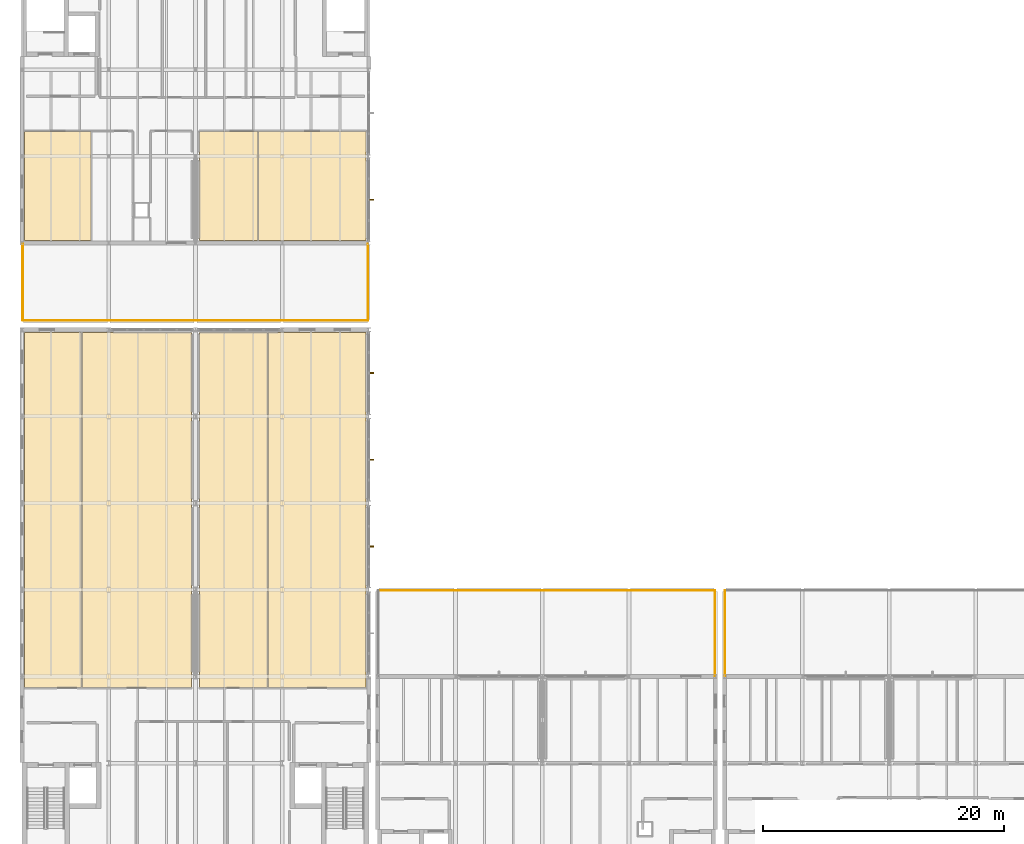
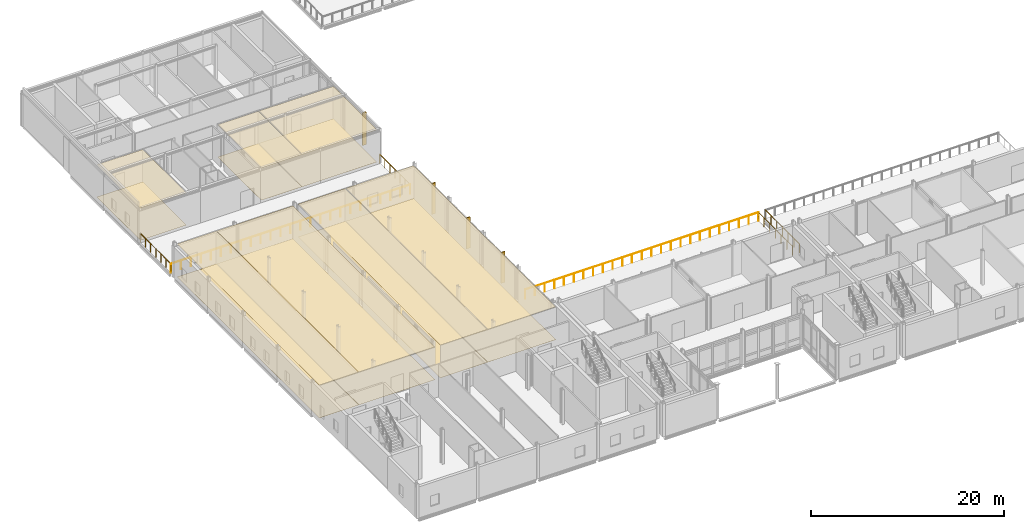
# One storey, part 48 of 53: 14 coverings, 6 railings, 4 shading devices.
"""IFC4 building model written with IfcOpenShell, lengths in metres."""

from ifc_helpers import new_model, si_unit, direction, frame, origin, origin_2d, place, context, subcontext, project, spatial, polyline, rectangle, circle, outline, extrude, material, layer, layer_set, type_object, element, save


model = new_model("IFC4")

# Units and contexts
model_context = context("Model", 3, precision=1e-05, world=origin(), true_north=direction((0.0, 1.0)))
body_context = subcontext(model_context, "Body", "Model", "MODEL_VIEW")
ifc_project = project(units=[si_unit("LENGTHUNIT", "METRE"), si_unit("AREAUNIT", "SQUARE_METRE"), si_unit("VOLUMEUNIT", "CUBIC_METRE"), si_unit("PLANEANGLEUNIT", "RADIAN"), si_unit("MASSUNIT", "GRAM", prefix="KILO")], contexts=[model_context])

# Site, building, storey
site_placement = place(None, origin())
site = spatial("IfcSite", under=ifc_project, at=site_placement, CompositionType="ELEMENT")
building_placement = place(site_placement, origin())
building = spatial("IfcBuilding", under=site, at=building_placement, Name="Zarrinpeak Specialist Clinic", CompositionType="ELEMENT")
storey_placement = place(building_placement, frame((0.0, 0.0, 14.0)))
storey = spatial("IfcBuildingStorey", under=building, at=storey_placement, Name="L03", CompositionType="ELEMENT", Elevation=14.0)

# Coverings
ifc_material_1 = material(Name="Hygienic Acoustic Mineral Fibre Tile")
ifc_layer_1 = layer(ifc_material_1, 0.02490234375)
ifc_layer_set_1 = layer_set([ifc_layer_1], Name="Hygienic Acoustic Mineral Fibre Tile")
covering_type_1 = type_object("IfcCoveringType", Name="CV-CEIL-AC", PredefinedType="CEILING", material=ifc_layer_set_1)
covering_1_placement = place(storey_placement, frame((0.0, 0.0, 4.14501953125)))
element("IfcCovering", 1, at=covering_1_placement, inside=storey, type_object=covering_type_1, Name="L03 Orthopaedic Cast and Splint Clinic Hygienic Acoustic Ceiling", PredefinedType="CEILING", context=body_context, shape_type="SweptSolid", body=[
    extrude(outline(polyline([(0.219970703125, 20.669921875), (4.929931640625, 20.669921875), (4.929931640625, 50.179931640625), (0.219970703125, 50.179931640625), (0.219970703125, 20.669921875)])), origin(), (0.0, 0.0, 1.0), 0.02490234375),
])
covering_2_placement = place(storey_placement, frame((0.0, 0.0, 4.14501953125)))
element("IfcCovering", 2, at=covering_2_placement, inside=storey, type_object=covering_type_1, Name="L03 Rheumatology Ultrasound Consult Hygienic Acoustic Ceiling", PredefinedType="CEILING", context=body_context, shape_type="SweptSolid", body=[
    extrude(outline(polyline([(14.719970703125, 20.669921875), (20.3798828125, 20.669921875), (20.3798828125, 50.179931640625), (14.719970703125, 50.179931640625), (14.719970703125, 20.669921875)])), origin(), (0.0, 0.0, 1.0), 0.02490234375),
])
covering_3_placement = place(storey_placement, frame((0.0, 0.0, 4.14501953125)))
element("IfcCovering", 3, at=covering_3_placement, inside=storey, type_object=covering_type_1, Name="L03 Gait Motion Analysis Room Hygienic Acoustic Ceiling", PredefinedType="CEILING", context=body_context, shape_type="SweptSolid", body=[
    extrude(outline(polyline([(20.419921875, 20.669921875), (28.580078125, 20.669921875), (28.580078125, 50.179931640625), (20.419921875, 50.179931640625), (20.419921875, 20.669921875)])), origin(), (0.0, 0.0, 1.0), 0.02490234375),
])
covering_4_placement = place(storey_placement, frame((0.0, 0.0, 4.14501953125)))
element("IfcCovering", 4, at=covering_4_placement, inside=storey, type_object=covering_type_1, Name="L03 Pain Management Procedure Suite Hygienic Acoustic Ceiling", PredefinedType="CEILING", context=body_context, shape_type="SweptSolid", body=[
    extrude(outline(polyline([(4.969970703125, 20.669921875), (14.080078125, 20.669921875), (14.080078125, 50.179931640625), (4.969970703125, 50.179931640625), (4.969970703125, 20.669921875)])), origin(), (0.0, 0.0, 1.0), 0.02490234375),
])
covering_5_placement = place(storey_placement, frame((0.0, 0.0, 4.0849609375)))
element("IfcCovering", 5, at=covering_5_placement, inside=storey, type_object=covering_type_1, Name="L03 Patient Support Seminar Lounge Hygienic Acoustic Ceiling", PredefinedType="CEILING", context=body_context, shape_type="SweptSolid", body=[
    extrude(outline(polyline([(14.719970703125, 57.820068359375), (19.580078125, 57.820068359375), (19.580078125, 66.8798828125), (14.719970703125, 66.8798828125), (14.719970703125, 57.820068359375)])), origin(), (0.0, 0.0, 1.0), 0.025146484375),
])
covering_6_placement = place(storey_placement, frame((0.0, 0.0, 4.0849609375)))
element("IfcCovering", 6, at=covering_6_placement, inside=storey, type_object=covering_type_1, Name="L03 Specialist Consultation Room 2 Hygienic Acoustic Ceiling", PredefinedType="CEILING", context=body_context, shape_type="SweptSolid", body=[
    extrude(outline(polyline([(0.219970703125, 57.820068359375), (5.72998046875, 57.820068359375), (5.72998046875, 66.8798828125), (0.219970703125, 66.8798828125), (0.219970703125, 57.820068359375)])), origin(), (0.0, 0.0, 1.0), 0.025146484375),
])
covering_7_placement = place(storey_placement, frame((0.0, 0.0, 4.0849609375)))
element("IfcCovering", 7, at=covering_7_placement, inside=storey, type_object=covering_type_1, Name="L03 Specialist Consultation Room 4 Hygienic Acoustic Ceiling", PredefinedType="CEILING", context=body_context, shape_type="SweptSolid", body=[
    extrude(outline(polyline([(19.6201171875, 57.820068359375), (28.580078125, 57.820068359375), (28.580078125, 66.8798828125), (19.6201171875, 66.8798828125), (19.6201171875, 57.820068359375)])), origin(), (0.0, 0.0, 1.0), 0.025146484375),
])
ifc_material_2 = material(Name="Homogeneous Antimicrobial Clinical Vinyl")
ifc_layer_2 = layer(ifc_material_2, 0.008056640625)
ifc_layer_set_2 = layer_set([ifc_layer_2], Name="Homogeneous Antimicrobial Clinical Vinyl")
covering_type_2 = type_object("IfcCoveringType", Name="CV-FLR-VN", PredefinedType="FLOORING", material=ifc_layer_set_2)
covering_8_placement = place(storey_placement, frame((0.0, 0.0, 0.0009765625)))
element("IfcCovering", 8, at=covering_8_placement, inside=storey, type_object=covering_type_2, Name="L03 Orthopaedic Cast and Splint Clinic Antimicrobial Vinyl Flooring", PredefinedType="FLOORING", context=body_context, shape_type="SweptSolid", body=[
    extrude(outline(polyline([(0.219970703125, 20.669921875), (4.929931640625, 20.669921875), (4.929931640625, 50.179931640625), (0.219970703125, 50.179931640625), (0.219970703125, 20.669921875)])), origin(), (0.0, 0.0, 1.0), 0.008056640625),
])
covering_9_placement = place(storey_placement, frame((0.0, 0.0, 0.0009765625)))
element("IfcCovering", 9, at=covering_9_placement, inside=storey, type_object=covering_type_2, Name="L03 Rheumatology Ultrasound Consult Antimicrobial Vinyl Flooring", PredefinedType="FLOORING", context=body_context, shape_type="SweptSolid", body=[
    extrude(outline(polyline([(14.719970703125, 20.669921875), (20.3798828125, 20.669921875), (20.3798828125, 50.179931640625), (14.719970703125, 50.179931640625), (14.719970703125, 20.669921875)])), origin(), (0.0, 0.0, 1.0), 0.008056640625),
])
covering_10_placement = place(storey_placement, frame((0.0, 0.0, 0.0009765625)))
element("IfcCovering", 10, at=covering_10_placement, inside=storey, type_object=covering_type_2, Name="L03 Gait Motion Analysis Room Antimicrobial Vinyl Flooring", PredefinedType="FLOORING", context=body_context, shape_type="SweptSolid", body=[
    extrude(outline(polyline([(20.419921875, 20.669921875), (28.580078125, 20.669921875), (28.580078125, 50.179931640625), (20.419921875, 50.179931640625), (20.419921875, 20.669921875)])), origin(), (0.0, 0.0, 1.0), 0.008056640625),
])
covering_11_placement = place(storey_placement, frame((0.0, 0.0, 0.0009765625)))
element("IfcCovering", 11, at=covering_11_placement, inside=storey, type_object=covering_type_2, Name="L03 Pain Management Procedure Suite Antimicrobial Vinyl Flooring", PredefinedType="FLOORING", context=body_context, shape_type="SweptSolid", body=[
    extrude(outline(polyline([(4.969970703125, 20.669921875), (14.080078125, 20.669921875), (14.080078125, 50.179931640625), (4.969970703125, 50.179931640625), (4.969970703125, 20.669921875)])), origin(), (0.0, 0.0, 1.0), 0.008056640625),
])
covering_12_placement = place(storey_placement, frame((0.0, 0.0, 0.0009765625)))
element("IfcCovering", 12, at=covering_12_placement, inside=storey, type_object=covering_type_2, Name="L03 Patient Support Seminar Lounge Antimicrobial Vinyl Flooring", PredefinedType="FLOORING", context=body_context, shape_type="SweptSolid", body=[
    extrude(outline(polyline([(14.719970703125, 57.820068359375), (19.580078125, 57.820068359375), (19.580078125, 66.8798828125), (14.719970703125, 66.8798828125), (14.719970703125, 57.820068359375)])), origin(), (0.0, 0.0, 1.0), 0.008056640625),
])
covering_13_placement = place(storey_placement, frame((0.0, 0.0, 0.0009765625)))
element("IfcCovering", 13, at=covering_13_placement, inside=storey, type_object=covering_type_2, Name="L03 Specialist Consultation Room 2 Antimicrobial Vinyl Flooring", PredefinedType="FLOORING", context=body_context, shape_type="SweptSolid", body=[
    extrude(outline(polyline([(0.219970703125, 57.820068359375), (5.72998046875, 57.820068359375), (5.72998046875, 66.8798828125), (0.219970703125, 66.8798828125), (0.219970703125, 57.820068359375)])), origin(), (0.0, 0.0, 1.0), 0.008056640625),
])
covering_14_placement = place(storey_placement, frame((0.0, 0.0, 0.0009765625)))
element("IfcCovering", 14, at=covering_14_placement, inside=storey, type_object=covering_type_2, Name="L03 Specialist Consultation Room 4 Antimicrobial Vinyl Flooring", PredefinedType="FLOORING", context=body_context, shape_type="SweptSolid", body=[
    extrude(outline(polyline([(19.6201171875, 57.820068359375), (28.580078125, 57.820068359375), (28.580078125, 66.8798828125), (19.6201171875, 66.8798828125), (19.6201171875, 57.820068359375)])), origin(), (0.0, 0.0, 1.0), 0.008056640625),
])

# Railings
ifc_material_3 = material(Name="Powder-Coated Steel Post-and-Rail Balustrade", Category="steel")
ifc_layer_3 = layer(ifc_material_3, 0.06005859375)
ifc_layer_set_3 = layer_set([ifc_layer_3], Name="Powder-Coated Steel Post-and-Rail Balustrade")
railing_type_1 = type_object("IfcRailingType", Name="RL-BAL110", PredefinedType="BALUSTRADE", material=ifc_layer_set_3)
railing_1_placement = place(storey_placement, frame((0.06005859375, 51.179931640625, 0.0)))
element("IfcRailing", 15, at=railing_1_placement, inside=storey, type_object=railing_type_1, Name="L03 V5 Terrace Perimeter Guardrail GR-014", PredefinedType="BALUSTRADE", context=body_context, shape_type="SweptSolid", body=[
    extrude(circle(Radius=0.02392578125, at=origin_2d()), frame((0.0, 0.0, 1.09619140625), z_axis=(0.0, 1.0, 0.0), x_axis=(-1.0, 0.0, 0.0)), (0.0, 0.0, 1.0), 6.360107421875),
    extrude(circle(Radius=0.02099609375, at=origin_2d()), origin(), (0.0, 0.0, 1.0), 1.072021484375),
    extrude(circle(Radius=0.02099609375, at=origin_2d()), frame((0.0, 1.06005859375, 0.0)), (0.0, 0.0, 1.0), 1.072021484375),
    extrude(circle(Radius=0.02099609375, at=origin_2d()), frame((0.0, 2.1201171875, 0.0)), (0.0, 0.0, 1.0), 1.072021484375),
    extrude(circle(Radius=0.02099609375, at=origin_2d()), frame((0.0, 3.18017578125, 0.0)), (0.0, 0.0, 1.0), 1.072021484375),
    extrude(circle(Radius=0.02099609375, at=origin_2d()), frame((0.0, 4.239990234375, 0.0)), (0.0, 0.0, 1.0), 1.072021484375),
    extrude(circle(Radius=0.02099609375, at=origin_2d()), frame((0.0, 5.300048828125, 0.0)), (0.0, 0.0, 1.0), 1.072021484375),
    extrude(circle(Radius=0.02099609375, at=origin_2d()), frame((0.0, 6.360107421875, 0.0)), (0.0, 0.0, 1.0), 1.072021484375),
])
ifc_material_4 = material(Name="Laminated Safety Glass and Stainless Steel 316", Category="steel")
ifc_layer_4 = layer(ifc_material_4, 0.06005859375)
ifc_layer_set_4 = layer_set([ifc_layer_4], Name="Laminated Safety Glass and Stainless Steel 316")
railing_type_2 = type_object("IfcRailingType", Name="RL-GRD115", PredefinedType="GUARDRAIL", material=ifc_layer_set_4)
railing_2_placement = place(storey_placement, frame((29.580078125, 28.739990234375, 0.0)))
element("IfcRailing", 16, at=railing_2_placement, inside=storey, type_object=railing_type_2, Name="L03 V2 Terrace Perimeter Guardrail GR-007", PredefinedType="GUARDRAIL", context=body_context, shape_type="SweptSolid", body=[
    extrude(circle(Radius=0.02392578125, at=origin_2d()), frame((0.0, 0.0, 1.1259765625), z_axis=(1.0, 0.0, 0.0), x_axis=(0.0, 1.0, 0.0)), (0.0, 0.0, 1.0), 27.9599609375),
    extrude(circle(Radius=0.02099609375, at=origin_2d()), origin(), (0.0, 0.0, 1.0), 1.101806640625),
    extrude(circle(Radius=0.02099609375, at=origin_2d()), frame((1.1650390625, 0.0, 0.0)), (0.0, 0.0, 1.0), 1.101806640625),
    extrude(circle(Radius=0.02099609375, at=origin_2d()), frame((2.330078125, 0.0, 0.0)), (0.0, 0.0, 1.0), 1.101806640625),
    extrude(circle(Radius=0.02099609375, at=origin_2d()), frame((3.4951171875, 0.0, 0.0)), (0.0, 0.0, 1.0), 1.101806640625),
    extrude(circle(Radius=0.02099609375, at=origin_2d()), frame((4.659912109375, 0.0, 0.0)), (0.0, 0.0, 1.0), 1.101806640625),
    extrude(circle(Radius=0.02099609375, at=origin_2d()), frame((5.824951171875, 0.0, 0.0)), (0.0, 0.0, 1.0), 1.101806640625),
    extrude(circle(Radius=0.02099609375, at=origin_2d()), frame((6.989990234375, 0.0, 0.0)), (0.0, 0.0, 1.0), 1.101806640625),
    extrude(circle(Radius=0.02099609375, at=origin_2d()), frame((8.155029296875, 0.0, 0.0)), (0.0, 0.0, 1.0), 1.101806640625),
    extrude(circle(Radius=0.02099609375, at=origin_2d()), frame((9.320068359375, 0.0, 0.0)), (0.0, 0.0, 1.0), 1.101806640625),
    extrude(circle(Radius=0.02099609375, at=origin_2d()), frame((10.48486328125, 0.0, 0.0)), (0.0, 0.0, 1.0), 1.101806640625),
    extrude(circle(Radius=0.02099609375, at=origin_2d()), frame((11.64990234375, 0.0, 0.0)), (0.0, 0.0, 1.0), 1.101806640625),
    extrude(circle(Radius=0.02099609375, at=origin_2d()), frame((12.81494140625, 0.0, 0.0)), (0.0, 0.0, 1.0), 1.101806640625),
    extrude(circle(Radius=0.02099609375, at=origin_2d()), frame((13.97998046875, 0.0, 0.0)), (0.0, 0.0, 1.0), 1.101806640625),
    extrude(circle(Radius=0.02099609375, at=origin_2d()), frame((15.14501953125, 0.0, 0.0)), (0.0, 0.0, 1.0), 1.101806640625),
    extrude(circle(Radius=0.02099609375, at=origin_2d()), frame((16.31005859375, 0.0, 0.0)), (0.0, 0.0, 1.0), 1.101806640625),
    extrude(circle(Radius=0.02099609375, at=origin_2d()), frame((17.47509765625, 0.0, 0.0)), (0.0, 0.0, 1.0), 1.101806640625),
    extrude(circle(Radius=0.02099609375, at=origin_2d()), frame((18.639892578125, 0.0, 0.0)), (0.0, 0.0, 1.0), 1.101806640625),
    extrude(circle(Radius=0.02099609375, at=origin_2d()), frame((19.804931640625, 0.0, 0.0)), (0.0, 0.0, 1.0), 1.101806640625),
    extrude(circle(Radius=0.02099609375, at=origin_2d()), frame((20.969970703125, 0.0, 0.0)), (0.0, 0.0, 1.0), 1.101806640625),
    extrude(circle(Radius=0.02099609375, at=origin_2d()), frame((22.135009765625, 0.0, 0.0)), (0.0, 0.0, 1.0), 1.101806640625),
    extrude(circle(Radius=0.02099609375, at=origin_2d()), frame((23.300048828125, 0.0, 0.0)), (0.0, 0.0, 1.0), 1.101806640625),
    extrude(circle(Radius=0.02099609375, at=origin_2d()), frame((24.46484375, 0.0, 0.0)), (0.0, 0.0, 1.0), 1.101806640625),
    extrude(circle(Radius=0.02099609375, at=origin_2d()), frame((25.6298828125, 0.0, 0.0)), (0.0, 0.0, 1.0), 1.101806640625),
    extrude(circle(Radius=0.02099609375, at=origin_2d()), frame((26.794921875, 0.0, 0.0)), (0.0, 0.0, 1.0), 1.101806640625),
    extrude(circle(Radius=0.02099609375, at=origin_2d()), frame((27.9599609375, 0.0, 0.0)), (0.0, 0.0, 1.0), 1.101806640625),
])
for number, where, name in (
    (17, (57.5400390625, 21.659912109375, 0.0), "L03 V2 Terrace Perimeter Guardrail GR-009"),
    (18, (58.3798828125, 21.659912109375, 0.0), "L03 V4 Terrace Perimeter Guardrail GR-011"),
):
    element("IfcRailing", number, at=place(storey_placement, frame(where)), inside=storey, type_object=railing_type_2, Name=name, PredefinedType="GUARDRAIL", context=body_context, shape_type="SweptSolid", body=[
        extrude(circle(Radius=0.02392578125, at=origin_2d()), frame((0.0, 0.0, 1.1259765625), z_axis=(0.0, 1.0, 0.0), x_axis=(-1.0, 0.0, 0.0)), (0.0, 0.0, 1.0), 7.080078125),
        extrude(circle(Radius=0.02099609375, at=origin_2d()), origin(), (0.0, 0.0, 1.0), 1.101806640625),
        extrude(circle(Radius=0.02099609375, at=origin_2d()), frame((0.0, 1.179931640625, 0.0)), (0.0, 0.0, 1.0), 1.101806640625),
        extrude(circle(Radius=0.02099609375, at=origin_2d()), frame((0.0, 2.360107421875, 0.0)), (0.0, 0.0, 1.0), 1.101806640625),
        extrude(circle(Radius=0.02099609375, at=origin_2d()), frame((0.0, 3.5400390625, 0.0)), (0.0, 0.0, 1.0), 1.101806640625),
        extrude(circle(Radius=0.02099609375, at=origin_2d()), frame((0.0, 4.719970703125, 0.0)), (0.0, 0.0, 1.0), 1.101806640625),
        extrude(circle(Radius=0.02099609375, at=origin_2d()), frame((0.0, 5.900146484375, 0.0)), (0.0, 0.0, 1.0), 1.101806640625),
        extrude(circle(Radius=0.02099609375, at=origin_2d()), frame((0.0, 7.080078125, 0.0)), (0.0, 0.0, 1.0), 1.101806640625),
    ])
railing_3_placement = place(storey_placement, frame((0.06005859375, 51.179931640625, 0.0)))
element("IfcRailing", 19, at=railing_3_placement, inside=storey, type_object=railing_type_2, Name="L03 V5 Terrace Perimeter Guardrail GR-013", PredefinedType="GUARDRAIL", context=body_context, shape_type="SweptSolid", body=[
    extrude(circle(Radius=0.02392578125, at=origin_2d()), frame((0.0, 0.0, 1.1259765625), z_axis=(1.0, 0.0, 0.0), x_axis=(0.0, 1.0, 0.0)), (0.0, 0.0, 1.0), 28.679931640625),
    extrude(circle(Radius=0.02099609375, at=origin_2d()), origin(), (0.0, 0.0, 1.0), 1.101806640625),
    extrude(circle(Radius=0.02099609375, at=origin_2d()), frame((1.195068359375, 0.0, 0.0)), (0.0, 0.0, 1.0), 1.101806640625),
    extrude(circle(Radius=0.02099609375, at=origin_2d()), frame((2.389892578125, 0.0, 0.0)), (0.0, 0.0, 1.0), 1.101806640625),
    extrude(circle(Radius=0.02099609375, at=origin_2d()), frame((3.5849609375, 0.0, 0.0)), (0.0, 0.0, 1.0), 1.101806640625),
    extrude(circle(Radius=0.02099609375, at=origin_2d()), frame((4.780029296875, 0.0, 0.0)), (0.0, 0.0, 1.0), 1.101806640625),
    extrude(circle(Radius=0.02099609375, at=origin_2d()), frame((5.97509765625, 0.0, 0.0)), (0.0, 0.0, 1.0), 1.101806640625),
    extrude(circle(Radius=0.02099609375, at=origin_2d()), frame((7.169921875, 0.0, 0.0)), (0.0, 0.0, 1.0), 1.101806640625),
    extrude(circle(Radius=0.02099609375, at=origin_2d()), frame((8.364990234375, 0.0, 0.0)), (0.0, 0.0, 1.0), 1.101806640625),
    extrude(circle(Radius=0.02099609375, at=origin_2d()), frame((9.56005859375, 0.0, 0.0)), (0.0, 0.0, 1.0), 1.101806640625),
    extrude(circle(Radius=0.02099609375, at=origin_2d()), frame((10.7548828125, 0.0, 0.0)), (0.0, 0.0, 1.0), 1.101806640625),
    extrude(circle(Radius=0.02099609375, at=origin_2d()), frame((11.949951171875, 0.0, 0.0)), (0.0, 0.0, 1.0), 1.101806640625),
    extrude(circle(Radius=0.02099609375, at=origin_2d()), frame((13.14501953125, 0.0, 0.0)), (0.0, 0.0, 1.0), 1.101806640625),
    extrude(circle(Radius=0.02099609375, at=origin_2d()), frame((14.33984375, 0.0, 0.0)), (0.0, 0.0, 1.0), 1.101806640625),
    extrude(circle(Radius=0.02099609375, at=origin_2d()), frame((15.534912109375, 0.0, 0.0)), (0.0, 0.0, 1.0), 1.101806640625),
    extrude(circle(Radius=0.02099609375, at=origin_2d()), frame((16.72998046875, 0.0, 0.0)), (0.0, 0.0, 1.0), 1.101806640625),
    extrude(circle(Radius=0.02099609375, at=origin_2d()), frame((17.925048828125, 0.0, 0.0)), (0.0, 0.0, 1.0), 1.101806640625),
    extrude(circle(Radius=0.02099609375, at=origin_2d()), frame((19.119873046875, 0.0, 0.0)), (0.0, 0.0, 1.0), 1.101806640625),
    extrude(circle(Radius=0.02099609375, at=origin_2d()), frame((20.31494140625, 0.0, 0.0)), (0.0, 0.0, 1.0), 1.101806640625),
    extrude(circle(Radius=0.02099609375, at=origin_2d()), frame((21.510009765625, 0.0, 0.0)), (0.0, 0.0, 1.0), 1.101806640625),
    extrude(circle(Radius=0.02099609375, at=origin_2d()), frame((22.704833984375, 0.0, 0.0)), (0.0, 0.0, 1.0), 1.101806640625),
    extrude(circle(Radius=0.02099609375, at=origin_2d()), frame((23.89990234375, 0.0, 0.0)), (0.0, 0.0, 1.0), 1.101806640625),
    extrude(circle(Radius=0.02099609375, at=origin_2d()), frame((25.094970703125, 0.0, 0.0)), (0.0, 0.0, 1.0), 1.101806640625),
    extrude(circle(Radius=0.02099609375, at=origin_2d()), frame((26.2900390625, 0.0, 0.0)), (0.0, 0.0, 1.0), 1.101806640625),
    extrude(circle(Radius=0.02099609375, at=origin_2d()), frame((27.48486328125, 0.0, 0.0)), (0.0, 0.0, 1.0), 1.101806640625),
    extrude(circle(Radius=0.02099609375, at=origin_2d()), frame((28.679931640625, 0.0, 0.0)), (0.0, 0.0, 1.0), 1.101806640625),
])
railing_4_placement = place(storey_placement, frame((28.739990234375, 51.179931640625, 0.0)))
element("IfcRailing", 20, at=railing_4_placement, inside=storey, type_object=railing_type_2, Name="L03 V5 Terrace Perimeter Guardrail GR-015", PredefinedType="GUARDRAIL", context=body_context, shape_type="SweptSolid", body=[
    extrude(circle(Radius=0.02392578125, at=origin_2d()), frame((0.0, 0.0, 1.1259765625), z_axis=(0.0, 1.0, 0.0), x_axis=(-1.0, 0.0, 0.0)), (0.0, 0.0, 1.0), 6.360107421875),
    extrude(circle(Radius=0.02099609375, at=origin_2d()), origin(), (0.0, 0.0, 1.0), 1.101806640625),
    extrude(circle(Radius=0.02099609375, at=origin_2d()), frame((0.0, 1.06005859375, 0.0)), (0.0, 0.0, 1.0), 1.101806640625),
    extrude(circle(Radius=0.02099609375, at=origin_2d()), frame((0.0, 2.1201171875, 0.0)), (0.0, 0.0, 1.0), 1.101806640625),
    extrude(circle(Radius=0.02099609375, at=origin_2d()), frame((0.0, 3.18017578125, 0.0)), (0.0, 0.0, 1.0), 1.101806640625),
    extrude(circle(Radius=0.02099609375, at=origin_2d()), frame((0.0, 4.239990234375, 0.0)), (0.0, 0.0, 1.0), 1.101806640625),
    extrude(circle(Radius=0.02099609375, at=origin_2d()), frame((0.0, 5.300048828125, 0.0)), (0.0, 0.0, 1.0), 1.101806640625),
    extrude(circle(Radius=0.02099609375, at=origin_2d()), frame((0.0, 6.360107421875, 0.0)), (0.0, 0.0, 1.0), 1.101806640625),
])

# Shading devices
ifc_material_5 = material(Name="Glulam GL28h", Category="wood")
shading_device_type = type_object("IfcShadingDeviceType", Name="SHD-FIN-GL", PredefinedType="USERDEFINED", material=ifc_material_5)
for number, where, z_axis, x_axis, name in (
    (21, (29.0, 32.39990234375, -0.01513671875), (0.0, 0.0, 1.0), (1.0, 0.0, 0.0), "L03 V1 Cedar-Glulam Courtyard Fin FIN-014"),
    (22, (29.0, 39.610107421875, -0.01513671875), (0.0, 0.0, 1.0), (1.0, 0.0, 0.0), "L03 V1 Cedar-Glulam Courtyard Fin FIN-015"),
    (23, (29.0, 46.81005859375, -0.01513671875), (0.0, 0.0, 1.0), (1.0, 0.0, 0.0), "L03 V1 Cedar-Glulam Courtyard Fin FIN-016"),
):
    element("IfcShadingDevice", number, at=place(storey_placement, frame(where, z_axis=z_axis, x_axis=x_axis)), inside=storey, type_object=shading_device_type, Name=name, ObjectType="SUNSHADE", PredefinedType="USERDEFINED", context=body_context, shape_type="SweptSolid", body=[
        extrude(rectangle(XDim=0.449951171875, YDim=0.110107421875, at=origin_2d()), origin(), (0.0, 0.0, 1.0), 3.9150390625),
    ])
shading_device_placement = place(storey_placement, frame((29.0, 61.199951171875, -0.01513671875), z_axis=(0.0, 0.0, 1.0), x_axis=(1.0, 0.0, 0.0)))
element("IfcShadingDevice", 24, at=shading_device_placement, inside=storey, type_object=shading_device_type, Name="L03 V5 Cedar-Glulam Courtyard Fin FIN-079", ObjectType="SUNSHADE", PredefinedType="USERDEFINED", context=body_context, shape_type="SweptSolid", body=[
    extrude(rectangle(XDim=0.449951171875, YDim=0.110107421875, at=origin_2d()), origin(), (0.0, 0.0, 1.0), 4.139892578125),
])

save(model, "model.ifc")
